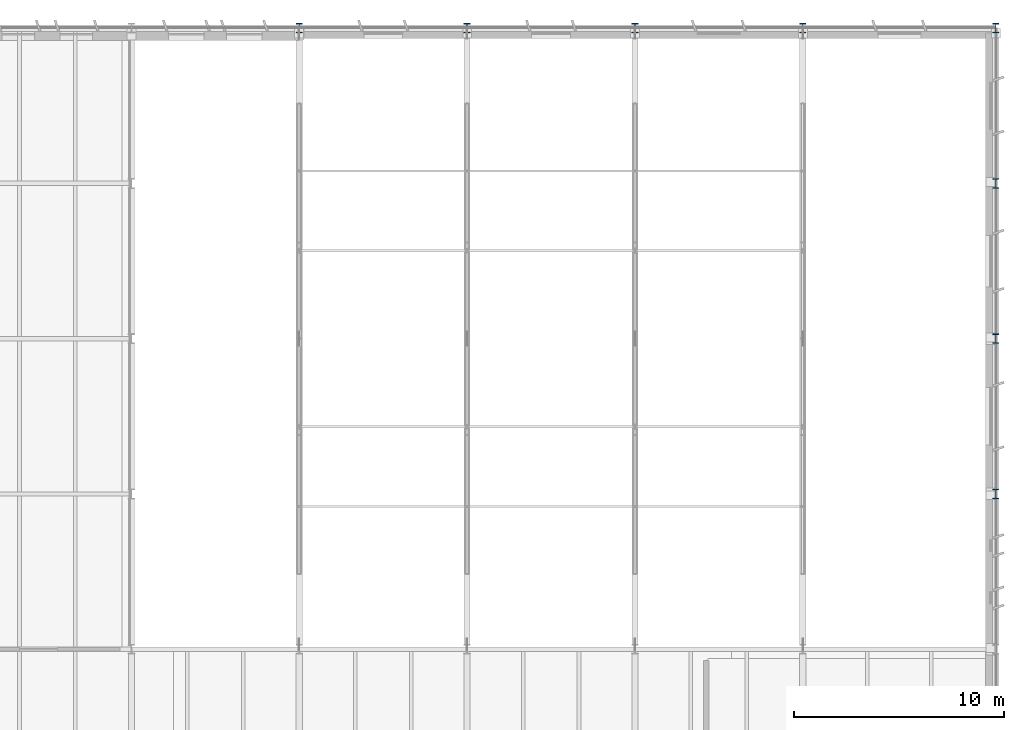
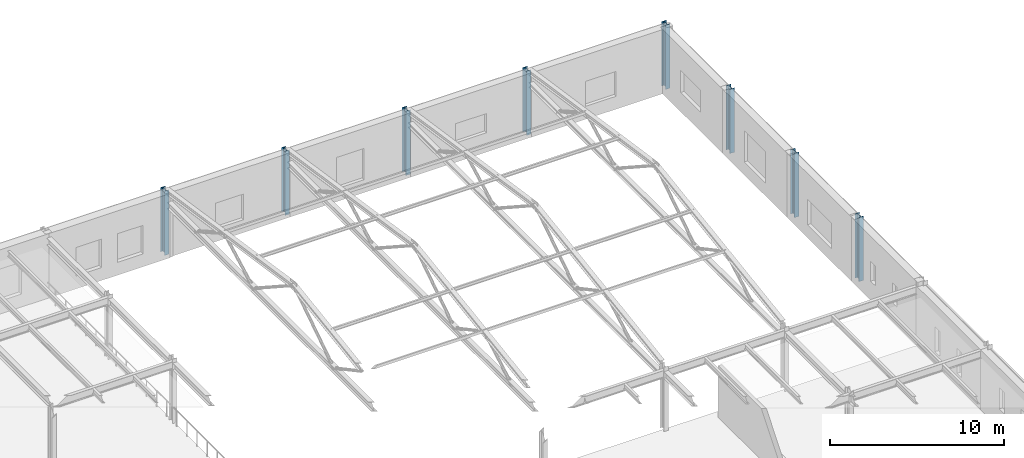
# One storey, part 15 of 75: 8 columns.
"""IFC4 building model written with IfcOpenShell, lengths in metres."""

from ifc_helpers import new_model, si_unit, direction, frame, origin, origin_2d, place, context, subcontext, project, spatial, i_section, extrude, material, material_profile, profile_set, type_object, element, save


model = new_model("IFC4")

# Units and contexts
model_context = context("Model", 3, precision=1e-05, world=origin(), true_north=direction((0.0, 1.0)))
body_context = subcontext(model_context, "Body", "Model", "MODEL_VIEW")
ifc_project = project(units=[si_unit("LENGTHUNIT", "METRE"), si_unit("AREAUNIT", "SQUARE_METRE"), si_unit("VOLUMEUNIT", "CUBIC_METRE"), si_unit("PLANEANGLEUNIT", "RADIAN"), si_unit("MASSUNIT", "GRAM", prefix="KILO")], contexts=[model_context])

# Site, building, storey
site_placement = place(None, origin())
site = spatial("IfcSite", under=ifc_project, at=site_placement, CompositionType="ELEMENT")
building_placement = place(site_placement, origin())
building = spatial("IfcBuilding", under=site, at=building_placement, Name="Valkorina Park Police Headquarters", CompositionType="ELEMENT")
storey_placement = place(building_placement, frame((0.0, 0.0, 5.39990234375)))
storey = spatial("IfcBuildingStorey", under=building, at=storey_placement, Name="L02", CompositionType="ELEMENT", Elevation=5.39990234375)

# Columns
ifc_material = material(Name="Steel S355", Category="steel")
ifc_material_profile = material_profile(ifc_material, i_section(OverallWidth=0.300048828125, OverallDepth=0.449951171875, WebThickness=0.013916015625, FlangeThickness=0.02587890625, FilletRadius=0.027099609375, at=origin_2d()), Name="HEB 450")
ifc_profile_set = profile_set([ifc_material_profile], Name="Steel S355")
column_type = type_object("IfcColumnType", Name="COL-S355-HEB450-EXT", PredefinedType="COLUMN", material=ifc_profile_set)
for number, where, z_axis, x_axis, name in (
    (1, (128.800048828125, 111.0, 0.0), (0.0, 0.0, 1.0), (1.0, 0.0, 0.0), "L02 Column 0675"),
    (2, (136.800048828125, 111.0, 0.0), (0.0, 0.0, 1.0), (1.0, 0.0, 0.0), "L02 Column 0687"),
    (3, (144.800048828125, 111.0, 0.0), (0.0, 0.0, 1.0), (1.0, 0.0, 0.0), "L02 Column 0699"),
    (4, (152.800048828125, 111.0, 0.0), (0.0, 0.0, 1.0), (1.0, 0.0, 0.0), "L02 Column 0711"),
    (5, (162.0, 88.800048828125, 0.0), (0.0, 0.0, 1.0), (1.0, 0.0, 0.0), "L02 Column 0723"),
    (6, (162.0, 96.199951171875, 0.0), (0.0, 0.0, 1.0), (1.0, 0.0, 0.0), "L02 Column 0724"),
    (7, (162.0, 103.60009765625, 0.0), (0.0, 0.0, 1.0), (1.0, 0.0, 0.0), "L02 Column 0725"),
    (8, (162.0, 111.0, 0.0), (0.0, 0.0, 1.0), (1.0, 0.0, 0.0), "L02 Column 0726"),
):
    element("IfcColumn", number, at=place(storey_placement, frame(where, z_axis=z_axis, x_axis=x_axis)), inside=storey, type_object=column_type, Name=name, PredefinedType="COLUMN", context=body_context, shape_type="SweptSolid", body=[
        extrude(i_section(OverallWidth=0.300048828125, OverallDepth=0.449951171875, WebThickness=0.013916015625, FlangeThickness=0.02587890625, FilletRadius=0.027099609375, at=origin_2d()), origin(), (0.0, 0.0, 1.0), 4.5),
    ])

save(model, "model.ifc")
